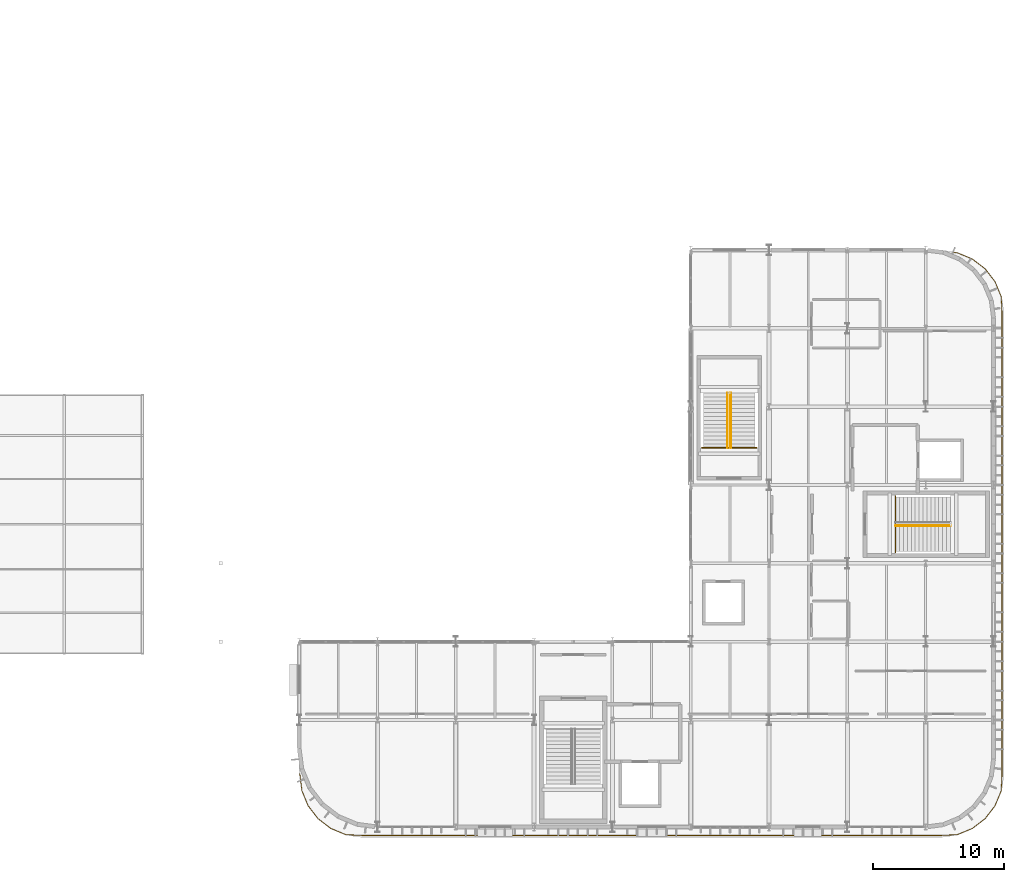
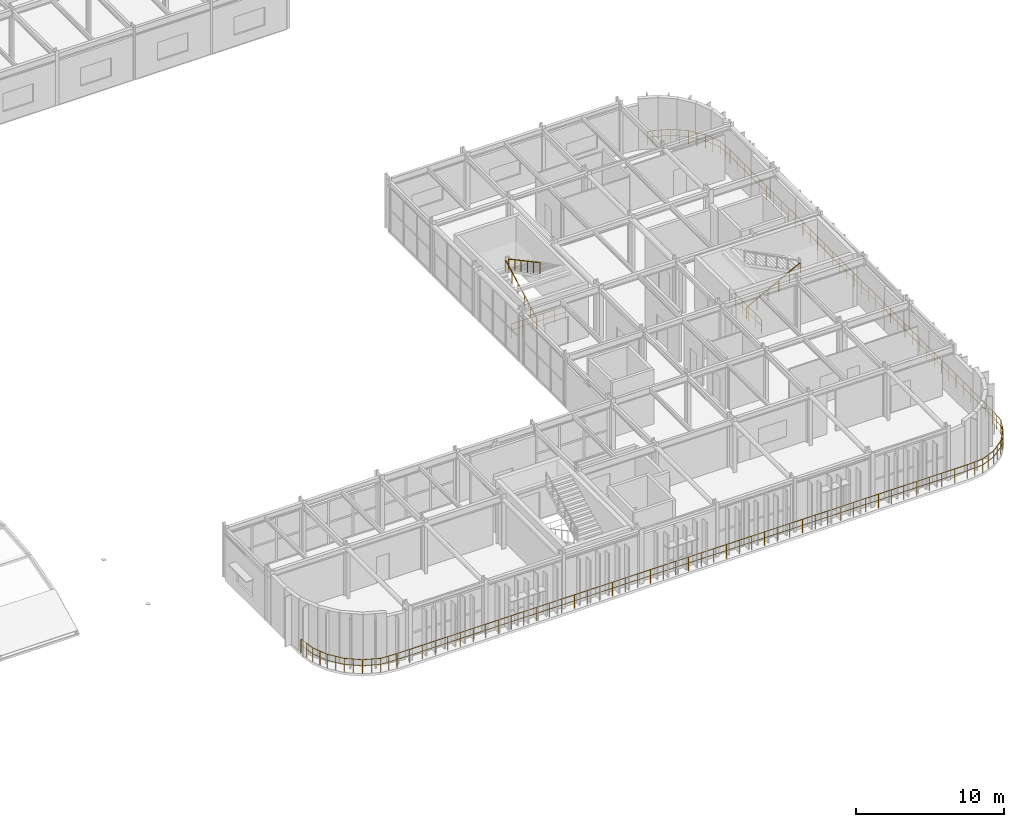
# One storey, part 82 of 84: 6 railings.
"""IFC4 building model written with IfcOpenShell, lengths in metres."""

from ifc_helpers import new_model, si_unit, direction, frame, origin, origin_2d, place, context, subcontext, project, spatial, circle, extrude, material, type_object, element, save


model = new_model("IFC4")

# Units and contexts
model_context = context("Model", 3, precision=1e-05, world=origin(), true_north=direction((0.0, 1.0)))
body_context = subcontext(model_context, "Body", "Model", "MODEL_VIEW")
ifc_project = project(units=[si_unit("LENGTHUNIT", "METRE"), si_unit("AREAUNIT", "SQUARE_METRE"), si_unit("VOLUMEUNIT", "CUBIC_METRE"), si_unit("PLANEANGLEUNIT", "RADIAN"), si_unit("MASSUNIT", "GRAM", prefix="KILO")], contexts=[model_context])

# Site, building, storey
site_placement = place(None, origin())
site = spatial("IfcSite", under=ifc_project, at=site_placement, CompositionType="ELEMENT")
building_placement = place(site_placement, origin())
building = spatial("IfcBuilding", under=site, at=building_placement, Name="Varnakota Square Police Headquarters", CompositionType="ELEMENT")
storey_placement = place(building_placement, frame((0.0, 0.0, 13.5)))
storey = spatial("IfcBuildingStorey", under=building, at=storey_placement, Name="L03", CompositionType="ELEMENT", Elevation=13.5)

# Railings
ifc_material_1 = material(Name="Galvanised Powder-Coated Steel Guardrail", Category="steel")
railing_type_1 = type_object("IfcRailingType", Name="RL-BAL-1150", PredefinedType="BALUSTRADE", material=ifc_material_1)
railing_1_placement = place(storey_placement, frame((158.076171875, 44.834228515625, 0.0)))
element("IfcRailing", 1, at=railing_1_placement, inside=storey, type_object=railing_type_1, Name="Perimeter edge safety guard GD-AUTO-L03-069", PredefinedType="BALUSTRADE", context=body_context, shape_type="SweptSolid", body=[
    extrude(circle(Radius=0.02392578125, at=origin_2d()), frame((0.0, 0.0, 1.1259765625), z_axis=(0.991388830753, -0.130951083454, 0.0), x_axis=(0.130951083454, 0.991388830753, 0.0)), (0.0, 0.0, 1.0), 0.356201171875),
    extrude(circle(Radius=0.01806640625, at=origin_2d()), frame((0.0, 0.0, 0.63232421875), z_axis=(0.991388830753, -0.130951083454, 0.0), x_axis=(0.130951083454, 0.991388830753, 0.0)), (0.0, 0.0, 1.0), 0.356201171875),
    extrude(circle(Radius=0.02392578125, at=origin_2d()), frame((0.35302734375, -0.046630859375, 1.1259765625), z_axis=(0.92391364461, -0.38260106809, 0.0), x_axis=(0.38260106809, 0.92391364461, 0.0)), (0.0, 0.0, 1.0), 1.23974609375),
    extrude(circle(Radius=0.01806640625, at=origin_2d()), frame((0.35302734375, -0.046630859375, 0.63232421875), z_axis=(0.92391364461, -0.38260106809, 0.0), x_axis=(0.38260106809, 0.92391364461, 0.0)), (0.0, 0.0, 1.0), 1.23974609375),
    extrude(circle(Radius=0.02392578125, at=origin_2d()), frame((1.49853515625, -0.52099609375, 1.1259765625), z_axis=(0.793311537696, -0.608815903339, 0.0), x_axis=(0.608815903339, 0.793311537696, 0.0)), (0.0, 0.0, 1.0), 1.239990234375),
    extrude(circle(Radius=0.01806640625, at=origin_2d()), frame((1.49853515625, -0.52099609375, 0.63232421875), z_axis=(0.793311537696, -0.608815903339, 0.0), x_axis=(0.608815903339, 0.793311537696, 0.0)), (0.0, 0.0, 1.0), 1.239990234375),
    extrude(circle(Radius=0.02392578125, at=origin_2d()), frame((2.482177734375, -1.27587890625, 1.1259765625), z_axis=(0.608815903339, -0.793311537696, 0.0), x_axis=(0.793311537696, 0.608815903339, 0.0)), (0.0, 0.0, 1.0), 1.239990234375),
    extrude(circle(Radius=0.01806640625, at=origin_2d()), frame((2.482177734375, -1.27587890625, 0.63232421875), z_axis=(0.608815903339, -0.793311537696, 0.0), x_axis=(0.793311537696, 0.608815903339, 0.0)), (0.0, 0.0, 1.0), 1.239990234375),
    extrude(circle(Radius=0.02392578125, at=origin_2d()), frame((3.237060546875, -2.259521484375, 1.1259765625), z_axis=(0.38260106809, -0.92391364461, 0.0), x_axis=(0.92391364461, 0.38260106809, 0.0)), (0.0, 0.0, 1.0), 1.23974609375),
    extrude(circle(Radius=0.01806640625, at=origin_2d()), frame((3.237060546875, -2.259521484375, 0.63232421875), z_axis=(0.38260106809, -0.92391364461, 0.0), x_axis=(0.92391364461, 0.38260106809, 0.0)), (0.0, 0.0, 1.0), 1.23974609375),
    extrude(circle(Radius=0.02392578125, at=origin_2d()), frame((3.71142578125, -3.405029296875, 1.1259765625), z_axis=(0.05064806659, -0.99871656307, 0.0), x_axis=(0.99871656307, 0.05064806659, 0.0)), (0.0, 0.0, 1.0), 1.23388671875),
    extrude(circle(Radius=0.01806640625, at=origin_2d()), frame((3.71142578125, -3.405029296875, 0.63232421875), z_axis=(0.05064806659, -0.99871656307, 0.0), x_axis=(0.99871656307, 0.05064806659, 0.0)), (0.0, 0.0, 1.0), 1.23388671875),
    extrude(circle(Radius=0.02392578125, at=origin_2d()), frame((3.77392578125, -4.637451171875, 1.1259765625), z_axis=(0.0, -1.0, 0.0), x_axis=(1.0, 0.0, 0.0)), (0.0, 0.0, 1.0), 35.3935546875),
    extrude(circle(Radius=0.01806640625, at=origin_2d()), frame((3.77392578125, -4.637451171875, 0.63232421875), z_axis=(0.0, -1.0, 0.0), x_axis=(1.0, 0.0, 0.0)), (0.0, 0.0, 1.0), 35.3935546875),
    extrude(circle(Radius=0.02392578125, at=origin_2d()), frame((3.77392578125, -40.031005859375, 1.1259765625), z_axis=(-0.05064806659, -0.99871656307, 0.0), x_axis=(0.99871656307, -0.05064806659, 0.0)), (0.0, 0.0, 1.0), 1.23388671875),
    extrude(circle(Radius=0.01806640625, at=origin_2d()), frame((3.77392578125, -40.031005859375, 0.63232421875), z_axis=(-0.05064806659, -0.99871656307, 0.0), x_axis=(0.99871656307, -0.05064806659, 0.0)), (0.0, 0.0, 1.0), 1.23388671875),
    extrude(circle(Radius=0.02392578125, at=origin_2d()), frame((3.71142578125, -41.263427734375, 1.1259765625), z_axis=(-0.38260106809, -0.92391364461, 0.0), x_axis=(0.92391364461, -0.38260106809, 0.0)), (0.0, 0.0, 1.0), 1.23974609375),
    extrude(circle(Radius=0.01806640625, at=origin_2d()), frame((3.71142578125, -41.263427734375, 0.63232421875), z_axis=(-0.38260106809, -0.92391364461, 0.0), x_axis=(0.92391364461, -0.38260106809, 0.0)), (0.0, 0.0, 1.0), 1.23974609375),
    extrude(circle(Radius=0.02392578125, at=origin_2d()), frame((3.237060546875, -42.408935546875, 1.1259765625), z_axis=(-0.608815903339, -0.793311537696, 0.0), x_axis=(0.793311537696, -0.608815903339, 0.0)), (0.0, 0.0, 1.0), 1.239990234375),
    extrude(circle(Radius=0.01806640625, at=origin_2d()), frame((3.237060546875, -42.408935546875, 0.63232421875), z_axis=(-0.608815903339, -0.793311537696, 0.0), x_axis=(0.793311537696, -0.608815903339, 0.0)), (0.0, 0.0, 1.0), 1.239990234375),
    extrude(circle(Radius=0.02392578125, at=origin_2d()), frame((2.482177734375, -43.392578125, 1.1259765625), z_axis=(-0.793311537696, -0.608815903339, 0.0), x_axis=(0.608815903339, -0.793311537696, 0.0)), (0.0, 0.0, 1.0), 1.239990234375),
    extrude(circle(Radius=0.01806640625, at=origin_2d()), frame((2.482177734375, -43.392578125, 0.63232421875), z_axis=(-0.793311537696, -0.608815903339, 0.0), x_axis=(0.608815903339, -0.793311537696, 0.0)), (0.0, 0.0, 1.0), 1.239990234375),
    extrude(circle(Radius=0.02392578125, at=origin_2d()), frame((1.49853515625, -44.1474609375, 1.1259765625), z_axis=(-0.92391364461, -0.38260106809, 0.0), x_axis=(0.38260106809, -0.92391364461, 0.0)), (0.0, 0.0, 1.0), 1.23974609375),
    extrude(circle(Radius=0.01806640625, at=origin_2d()), frame((1.49853515625, -44.1474609375, 0.63232421875), z_axis=(-0.92391364461, -0.38260106809, 0.0), x_axis=(0.38260106809, -0.92391364461, 0.0)), (0.0, 0.0, 1.0), 1.23974609375),
    extrude(circle(Radius=0.02392578125, at=origin_2d()), frame((0.35302734375, -44.621826171875, 1.1259765625), z_axis=(-0.99871656307, -0.05064806659, 0.0), x_axis=(0.05064806659, -0.99871656307, 0.0)), (0.0, 0.0, 1.0), 1.23388671875),
    extrude(circle(Radius=0.01806640625, at=origin_2d()), frame((0.35302734375, -44.621826171875, 0.63232421875), z_axis=(-0.99871656307, -0.05064806659, 0.0), x_axis=(0.05064806659, -0.99871656307, 0.0)), (0.0, 0.0, 1.0), 1.23388671875),
    extrude(circle(Radius=0.02392578125, at=origin_2d()), frame((-0.87939453125, -44.684326171875, 1.1259765625), z_axis=(-1.0, 0.0, 0.0), x_axis=(0.0, -1.0, 0.0)), (0.0, 0.0, 1.0), 44.3935546875),
    extrude(circle(Radius=0.01806640625, at=origin_2d()), frame((-0.87939453125, -44.684326171875, 0.63232421875), z_axis=(-1.0, 0.0, 0.0), x_axis=(0.0, -1.0, 0.0)), (0.0, 0.0, 1.0), 44.3935546875),
    extrude(circle(Radius=0.02392578125, at=origin_2d()), frame((-45.27294921875, -44.684326171875, 1.1259765625), z_axis=(-0.99871656307, 0.05064806659, 0.0), x_axis=(-0.05064806659, -0.99871656307, 0.0)), (0.0, 0.0, 1.0), 1.23388671875),
    extrude(circle(Radius=0.01806640625, at=origin_2d()), frame((-45.27294921875, -44.684326171875, 0.63232421875), z_axis=(-0.99871656307, 0.05064806659, 0.0), x_axis=(-0.05064806659, -0.99871656307, 0.0)), (0.0, 0.0, 1.0), 1.23388671875),
    extrude(circle(Radius=0.02392578125, at=origin_2d()), frame((-46.50537109375, -44.621826171875, 1.1259765625), z_axis=(-0.92391364461, 0.38260106809, 0.0), x_axis=(-0.38260106809, -0.92391364461, 0.0)), (0.0, 0.0, 1.0), 1.23974609375),
    extrude(circle(Radius=0.01806640625, at=origin_2d()), frame((-46.50537109375, -44.621826171875, 0.63232421875), z_axis=(-0.92391364461, 0.38260106809, 0.0), x_axis=(-0.38260106809, -0.92391364461, 0.0)), (0.0, 0.0, 1.0), 1.23974609375),
    extrude(circle(Radius=0.02392578125, at=origin_2d()), frame((-47.65087890625, -44.1474609375, 1.1259765625), z_axis=(-0.793311537696, 0.608815903339, 0.0), x_axis=(-0.608815903339, -0.793311537696, 0.0)), (0.0, 0.0, 1.0), 1.239990234375),
    extrude(circle(Radius=0.01806640625, at=origin_2d()), frame((-47.65087890625, -44.1474609375, 0.63232421875), z_axis=(-0.793311537696, 0.608815903339, 0.0), x_axis=(-0.608815903339, -0.793311537696, 0.0)), (0.0, 0.0, 1.0), 1.239990234375),
    extrude(circle(Radius=0.02392578125, at=origin_2d()), frame((-48.634521484375, -43.392578125, 1.1259765625), z_axis=(-0.608815903339, 0.793311537696, 0.0), x_axis=(-0.793311537696, -0.608815903339, 0.0)), (0.0, 0.0, 1.0), 1.239990234375),
    extrude(circle(Radius=0.01806640625, at=origin_2d()), frame((-48.634521484375, -43.392578125, 0.63232421875), z_axis=(-0.608815903339, 0.793311537696, 0.0), x_axis=(-0.793311537696, -0.608815903339, 0.0)), (0.0, 0.0, 1.0), 1.239990234375),
    extrude(circle(Radius=0.02392578125, at=origin_2d()), frame((-49.389404296875, -42.408935546875, 1.1259765625), z_axis=(-0.38260106809, 0.92391364461, 0.0), x_axis=(-0.92391364461, -0.38260106809, 0.0)), (0.0, 0.0, 1.0), 1.23974609375),
    extrude(circle(Radius=0.01806640625, at=origin_2d()), frame((-49.389404296875, -42.408935546875, 0.63232421875), z_axis=(-0.38260106809, 0.92391364461, 0.0), x_axis=(-0.92391364461, -0.38260106809, 0.0)), (0.0, 0.0, 1.0), 1.23974609375),
    extrude(circle(Radius=0.02392578125, at=origin_2d()), frame((-49.86376953125, -41.263427734375, 1.1259765625), z_axis=(-0.124750448097, 0.992188150352, 0.0), x_axis=(-0.992188150352, -0.124750448097, 0.0)), (0.0, 0.0, 1.0), 1.301513671875),
    extrude(circle(Radius=0.01806640625, at=origin_2d()), frame((-49.86376953125, -41.263427734375, 0.63232421875), z_axis=(-0.124750448097, 0.992188150352, 0.0), x_axis=(-0.992188150352, -0.124750448097, 0.0)), (0.0, 0.0, 1.0), 1.301513671875),
    extrude(circle(Radius=0.02099609375, at=origin_2d()), origin(), (0.0, 0.0, 1.0), 1.101806640625),
    extrude(circle(Radius=0.02099609375, at=origin_2d()), frame((0.35302734375, -0.046630859375, 0.0)), (0.0, 0.0, 1.0), 1.101806640625),
    extrude(circle(Radius=0.02099609375, at=origin_2d()), frame((0.92578125, -0.28369140625, 0.0)), (0.0, 0.0, 1.0), 1.101806640625),
    extrude(circle(Radius=0.02099609375, at=origin_2d()), frame((1.49853515625, -0.52099609375, 0.0)), (0.0, 0.0, 1.0), 1.101806640625),
    extrude(circle(Radius=0.02099609375, at=origin_2d()), frame((1.990234375, -0.8984375, 0.0)), (0.0, 0.0, 1.0), 1.101806640625),
    extrude(circle(Radius=0.02099609375, at=origin_2d()), frame((2.482177734375, -1.27587890625, 0.0)), (0.0, 0.0, 1.0), 1.101806640625),
    extrude(circle(Radius=0.02099609375, at=origin_2d()), frame((2.859619140625, -1.767578125, 0.0)), (0.0, 0.0, 1.0), 1.101806640625),
    extrude(circle(Radius=0.02099609375, at=origin_2d()), frame((3.237060546875, -2.259521484375, 0.0)), (0.0, 0.0, 1.0), 1.101806640625),
    extrude(circle(Radius=0.02099609375, at=origin_2d()), frame((3.47412109375, -2.832275390625, 0.0)), (0.0, 0.0, 1.0), 1.101806640625),
    extrude(circle(Radius=0.02099609375, at=origin_2d()), frame((3.71142578125, -3.405029296875, 0.0)), (0.0, 0.0, 1.0), 1.101806640625),
    extrude(circle(Radius=0.02099609375, at=origin_2d()), frame((3.74267578125, -4.021240234375, 0.0)), (0.0, 0.0, 1.0), 1.101806640625),
    extrude(circle(Radius=0.02099609375, at=origin_2d()), frame((3.77392578125, -4.637451171875, 0.0)), (0.0, 0.0, 1.0), 1.101806640625),
    extrude(circle(Radius=0.02099609375, at=origin_2d()), frame((3.77392578125, -5.62060546875, 0.0)), (0.0, 0.0, 1.0), 1.101806640625),
    extrude(circle(Radius=0.02099609375, at=origin_2d()), frame((3.77392578125, -6.603759765625, 0.0)), (0.0, 0.0, 1.0), 1.101806640625),
    extrude(circle(Radius=0.02099609375, at=origin_2d()), frame((3.77392578125, -7.5869140625, 0.0)), (0.0, 0.0, 1.0), 1.101806640625),
    extrude(circle(Radius=0.02099609375, at=origin_2d()), frame((3.77392578125, -8.570068359375, 0.0)), (0.0, 0.0, 1.0), 1.101806640625),
    extrude(circle(Radius=0.02099609375, at=origin_2d()), frame((3.77392578125, -9.55322265625, 0.0)), (0.0, 0.0, 1.0), 1.101806640625),
    extrude(circle(Radius=0.02099609375, at=origin_2d()), frame((3.77392578125, -10.536376953125, 0.0)), (0.0, 0.0, 1.0), 1.101806640625),
    extrude(circle(Radius=0.02099609375, at=origin_2d()), frame((3.77392578125, -11.51953125, 0.0)), (0.0, 0.0, 1.0), 1.101806640625),
    extrude(circle(Radius=0.02099609375, at=origin_2d()), frame((3.77392578125, -12.502685546875, 0.0)), (0.0, 0.0, 1.0), 1.101806640625),
    extrude(circle(Radius=0.02099609375, at=origin_2d()), frame((3.77392578125, -13.48583984375, 0.0)), (0.0, 0.0, 1.0), 1.101806640625),
    extrude(circle(Radius=0.02099609375, at=origin_2d()), frame((3.77392578125, -14.468994140625, 0.0)), (0.0, 0.0, 1.0), 1.101806640625),
    extrude(circle(Radius=0.02099609375, at=origin_2d()), frame((3.77392578125, -15.4521484375, 0.0)), (0.0, 0.0, 1.0), 1.101806640625),
    extrude(circle(Radius=0.02099609375, at=origin_2d()), frame((3.77392578125, -16.435302734375, 0.0)), (0.0, 0.0, 1.0), 1.101806640625),
    extrude(circle(Radius=0.02099609375, at=origin_2d()), frame((3.77392578125, -17.41845703125, 0.0)), (0.0, 0.0, 1.0), 1.101806640625),
    extrude(circle(Radius=0.02099609375, at=origin_2d()), frame((3.77392578125, -18.401611328125, 0.0)), (0.0, 0.0, 1.0), 1.101806640625),
    extrude(circle(Radius=0.02099609375, at=origin_2d()), frame((3.77392578125, -19.384765625, 0.0)), (0.0, 0.0, 1.0), 1.101806640625),
    extrude(circle(Radius=0.02099609375, at=origin_2d()), frame((3.77392578125, -20.367919921875, 0.0)), (0.0, 0.0, 1.0), 1.101806640625),
    extrude(circle(Radius=0.02099609375, at=origin_2d()), frame((3.77392578125, -21.35107421875, 0.0)), (0.0, 0.0, 1.0), 1.101806640625),
    extrude(circle(Radius=0.02099609375, at=origin_2d()), frame((3.77392578125, -22.334228515625, 0.0)), (0.0, 0.0, 1.0), 1.101806640625),
    extrude(circle(Radius=0.02099609375, at=origin_2d()), frame((3.77392578125, -23.3173828125, 0.0)), (0.0, 0.0, 1.0), 1.101806640625),
    extrude(circle(Radius=0.02099609375, at=origin_2d()), frame((3.77392578125, -24.300537109375, 0.0)), (0.0, 0.0, 1.0), 1.101806640625),
    extrude(circle(Radius=0.02099609375, at=origin_2d()), frame((3.77392578125, -25.28369140625, 0.0)), (0.0, 0.0, 1.0), 1.101806640625),
    extrude(circle(Radius=0.02099609375, at=origin_2d()), frame((3.77392578125, -26.266845703125, 0.0)), (0.0, 0.0, 1.0), 1.101806640625),
    extrude(circle(Radius=0.02099609375, at=origin_2d()), frame((3.77392578125, -27.25, 0.0)), (0.0, 0.0, 1.0), 1.101806640625),
    extrude(circle(Radius=0.02099609375, at=origin_2d()), frame((3.77392578125, -28.233154296875, 0.0)), (0.0, 0.0, 1.0), 1.101806640625),
    extrude(circle(Radius=0.02099609375, at=origin_2d()), frame((3.77392578125, -29.21630859375, 0.0)), (0.0, 0.0, 1.0), 1.101806640625),
    extrude(circle(Radius=0.02099609375, at=origin_2d()), frame((3.77392578125, -30.199462890625, 0.0)), (0.0, 0.0, 1.0), 1.101806640625),
    extrude(circle(Radius=0.02099609375, at=origin_2d()), frame((3.77392578125, -31.1826171875, 0.0)), (0.0, 0.0, 1.0), 1.101806640625),
    extrude(circle(Radius=0.02099609375, at=origin_2d()), frame((3.77392578125, -32.165771484375, 0.0)), (0.0, 0.0, 1.0), 1.101806640625),
    extrude(circle(Radius=0.02099609375, at=origin_2d()), frame((3.77392578125, -33.14892578125, 0.0)), (0.0, 0.0, 1.0), 1.101806640625),
    extrude(circle(Radius=0.02099609375, at=origin_2d()), frame((3.77392578125, -34.132080078125, 0.0)), (0.0, 0.0, 1.0), 1.101806640625),
    extrude(circle(Radius=0.02099609375, at=origin_2d()), frame((3.77392578125, -35.115234375, 0.0)), (0.0, 0.0, 1.0), 1.101806640625),
    extrude(circle(Radius=0.02099609375, at=origin_2d()), frame((3.77392578125, -36.098388671875, 0.0)), (0.0, 0.0, 1.0), 1.101806640625),
    extrude(circle(Radius=0.02099609375, at=origin_2d()), frame((3.77392578125, -37.08154296875, 0.0)), (0.0, 0.0, 1.0), 1.101806640625),
    extrude(circle(Radius=0.02099609375, at=origin_2d()), frame((3.77392578125, -38.064697265625, 0.0)), (0.0, 0.0, 1.0), 1.101806640625),
    extrude(circle(Radius=0.02099609375, at=origin_2d()), frame((3.77392578125, -39.0478515625, 0.0)), (0.0, 0.0, 1.0), 1.101806640625),
    extrude(circle(Radius=0.02099609375, at=origin_2d()), frame((3.77392578125, -40.031005859375, 0.0)), (0.0, 0.0, 1.0), 1.101806640625),
    extrude(circle(Radius=0.02099609375, at=origin_2d()), frame((3.74267578125, -40.647216796875, 0.0)), (0.0, 0.0, 1.0), 1.101806640625),
    extrude(circle(Radius=0.02099609375, at=origin_2d()), frame((3.71142578125, -41.263427734375, 0.0)), (0.0, 0.0, 1.0), 1.101806640625),
    extrude(circle(Radius=0.02099609375, at=origin_2d()), frame((3.47412109375, -41.836181640625, 0.0)), (0.0, 0.0, 1.0), 1.101806640625),
    extrude(circle(Radius=0.02099609375, at=origin_2d()), frame((3.237060546875, -42.408935546875, 0.0)), (0.0, 0.0, 1.0), 1.101806640625),
    extrude(circle(Radius=0.02099609375, at=origin_2d()), frame((2.859619140625, -42.90087890625, 0.0)), (0.0, 0.0, 1.0), 1.101806640625),
    extrude(circle(Radius=0.02099609375, at=origin_2d()), frame((2.482177734375, -43.392578125, 0.0)), (0.0, 0.0, 1.0), 1.101806640625),
    extrude(circle(Radius=0.02099609375, at=origin_2d()), frame((1.990234375, -43.77001953125, 0.0)), (0.0, 0.0, 1.0), 1.101806640625),
    extrude(circle(Radius=0.02099609375, at=origin_2d()), frame((1.49853515625, -44.1474609375, 0.0)), (0.0, 0.0, 1.0), 1.101806640625),
    extrude(circle(Radius=0.02099609375, at=origin_2d()), frame((0.92578125, -44.384765625, 0.0)), (0.0, 0.0, 1.0), 1.101806640625),
    extrude(circle(Radius=0.02099609375, at=origin_2d()), frame((0.35302734375, -44.621826171875, 0.0)), (0.0, 0.0, 1.0), 1.101806640625),
    extrude(circle(Radius=0.02099609375, at=origin_2d()), frame((-0.26318359375, -44.653076171875, 0.0)), (0.0, 0.0, 1.0), 1.101806640625),
    extrude(circle(Radius=0.02099609375, at=origin_2d()), frame((-0.87939453125, -44.684326171875, 0.0)), (0.0, 0.0, 1.0), 1.101806640625),
    extrude(circle(Radius=0.02099609375, at=origin_2d()), frame((-1.865966796875, -44.684326171875, 0.0)), (0.0, 0.0, 1.0), 1.101806640625),
    extrude(circle(Radius=0.02099609375, at=origin_2d()), frame((-2.8525390625, -44.684326171875, 0.0)), (0.0, 0.0, 1.0), 1.101806640625),
    extrude(circle(Radius=0.02099609375, at=origin_2d()), frame((-3.8388671875, -44.684326171875, 0.0)), (0.0, 0.0, 1.0), 1.101806640625),
    extrude(circle(Radius=0.02099609375, at=origin_2d()), frame((-4.825439453125, -44.684326171875, 0.0)), (0.0, 0.0, 1.0), 1.101806640625),
    extrude(circle(Radius=0.02099609375, at=origin_2d()), frame((-5.81201171875, -44.684326171875, 0.0)), (0.0, 0.0, 1.0), 1.101806640625),
    extrude(circle(Radius=0.02099609375, at=origin_2d()), frame((-6.798583984375, -44.684326171875, 0.0)), (0.0, 0.0, 1.0), 1.101806640625),
    extrude(circle(Radius=0.02099609375, at=origin_2d()), frame((-7.78515625, -44.684326171875, 0.0)), (0.0, 0.0, 1.0), 1.101806640625),
    extrude(circle(Radius=0.02099609375, at=origin_2d()), frame((-8.771484375, -44.684326171875, 0.0)), (0.0, 0.0, 1.0), 1.101806640625),
    extrude(circle(Radius=0.02099609375, at=origin_2d()), frame((-9.758056640625, -44.684326171875, 0.0)), (0.0, 0.0, 1.0), 1.101806640625),
    extrude(circle(Radius=0.02099609375, at=origin_2d()), frame((-10.74462890625, -44.684326171875, 0.0)), (0.0, 0.0, 1.0), 1.101806640625),
    extrude(circle(Radius=0.02099609375, at=origin_2d()), frame((-11.731201171875, -44.684326171875, 0.0)), (0.0, 0.0, 1.0), 1.101806640625),
    extrude(circle(Radius=0.02099609375, at=origin_2d()), frame((-12.7177734375, -44.684326171875, 0.0)), (0.0, 0.0, 1.0), 1.101806640625),
    extrude(circle(Radius=0.02099609375, at=origin_2d()), frame((-13.7041015625, -44.684326171875, 0.0)), (0.0, 0.0, 1.0), 1.101806640625),
    extrude(circle(Radius=0.02099609375, at=origin_2d()), frame((-14.690673828125, -44.684326171875, 0.0)), (0.0, 0.0, 1.0), 1.101806640625),
    extrude(circle(Radius=0.02099609375, at=origin_2d()), frame((-15.67724609375, -44.684326171875, 0.0)), (0.0, 0.0, 1.0), 1.101806640625),
    extrude(circle(Radius=0.02099609375, at=origin_2d()), frame((-16.663818359375, -44.684326171875, 0.0)), (0.0, 0.0, 1.0), 1.101806640625),
    extrude(circle(Radius=0.02099609375, at=origin_2d()), frame((-17.650390625, -44.684326171875, 0.0)), (0.0, 0.0, 1.0), 1.101806640625),
    extrude(circle(Radius=0.02099609375, at=origin_2d()), frame((-18.63671875, -44.684326171875, 0.0)), (0.0, 0.0, 1.0), 1.101806640625),
    extrude(circle(Radius=0.02099609375, at=origin_2d()), frame((-19.623291015625, -44.684326171875, 0.0)), (0.0, 0.0, 1.0), 1.101806640625),
    extrude(circle(Radius=0.02099609375, at=origin_2d()), frame((-20.60986328125, -44.684326171875, 0.0)), (0.0, 0.0, 1.0), 1.101806640625),
    extrude(circle(Radius=0.02099609375, at=origin_2d()), frame((-21.596435546875, -44.684326171875, 0.0)), (0.0, 0.0, 1.0), 1.101806640625),
    extrude(circle(Radius=0.02099609375, at=origin_2d()), frame((-22.5830078125, -44.684326171875, 0.0)), (0.0, 0.0, 1.0), 1.101806640625),
    extrude(circle(Radius=0.02099609375, at=origin_2d()), frame((-23.5693359375, -44.684326171875, 0.0)), (0.0, 0.0, 1.0), 1.101806640625),
    extrude(circle(Radius=0.02099609375, at=origin_2d()), frame((-24.555908203125, -44.684326171875, 0.0)), (0.0, 0.0, 1.0), 1.101806640625),
    extrude(circle(Radius=0.02099609375, at=origin_2d()), frame((-25.54248046875, -44.684326171875, 0.0)), (0.0, 0.0, 1.0), 1.101806640625),
    extrude(circle(Radius=0.02099609375, at=origin_2d()), frame((-26.529052734375, -44.684326171875, 0.0)), (0.0, 0.0, 1.0), 1.101806640625),
    extrude(circle(Radius=0.02099609375, at=origin_2d()), frame((-27.515625, -44.684326171875, 0.0)), (0.0, 0.0, 1.0), 1.101806640625),
    extrude(circle(Radius=0.02099609375, at=origin_2d()), frame((-28.501953125, -44.684326171875, 0.0)), (0.0, 0.0, 1.0), 1.101806640625),
    extrude(circle(Radius=0.02099609375, at=origin_2d()), frame((-29.488525390625, -44.684326171875, 0.0)), (0.0, 0.0, 1.0), 1.101806640625),
    extrude(circle(Radius=0.02099609375, at=origin_2d()), frame((-30.47509765625, -44.684326171875, 0.0)), (0.0, 0.0, 1.0), 1.101806640625),
    extrude(circle(Radius=0.02099609375, at=origin_2d()), frame((-31.461669921875, -44.684326171875, 0.0)), (0.0, 0.0, 1.0), 1.101806640625),
    extrude(circle(Radius=0.02099609375, at=origin_2d()), frame((-32.4482421875, -44.684326171875, 0.0)), (0.0, 0.0, 1.0), 1.101806640625),
    extrude(circle(Radius=0.02099609375, at=origin_2d()), frame((-33.4345703125, -44.684326171875, 0.0)), (0.0, 0.0, 1.0), 1.101806640625),
    extrude(circle(Radius=0.02099609375, at=origin_2d()), frame((-34.421142578125, -44.684326171875, 0.0)), (0.0, 0.0, 1.0), 1.101806640625),
    extrude(circle(Radius=0.02099609375, at=origin_2d()), frame((-35.40771484375, -44.684326171875, 0.0)), (0.0, 0.0, 1.0), 1.101806640625),
    extrude(circle(Radius=0.02099609375, at=origin_2d()), frame((-36.394287109375, -44.684326171875, 0.0)), (0.0, 0.0, 1.0), 1.101806640625),
    extrude(circle(Radius=0.02099609375, at=origin_2d()), frame((-37.380859375, -44.684326171875, 0.0)), (0.0, 0.0, 1.0), 1.101806640625),
    extrude(circle(Radius=0.02099609375, at=origin_2d()), frame((-38.3671875, -44.684326171875, 0.0)), (0.0, 0.0, 1.0), 1.101806640625),
    extrude(circle(Radius=0.02099609375, at=origin_2d()), frame((-39.353759765625, -44.684326171875, 0.0)), (0.0, 0.0, 1.0), 1.101806640625),
    extrude(circle(Radius=0.02099609375, at=origin_2d()), frame((-40.34033203125, -44.684326171875, 0.0)), (0.0, 0.0, 1.0), 1.101806640625),
    extrude(circle(Radius=0.02099609375, at=origin_2d()), frame((-41.326904296875, -44.684326171875, 0.0)), (0.0, 0.0, 1.0), 1.101806640625),
    extrude(circle(Radius=0.02099609375, at=origin_2d()), frame((-42.3134765625, -44.684326171875, 0.0)), (0.0, 0.0, 1.0), 1.101806640625),
    extrude(circle(Radius=0.02099609375, at=origin_2d()), frame((-43.2998046875, -44.684326171875, 0.0)), (0.0, 0.0, 1.0), 1.101806640625),
    extrude(circle(Radius=0.02099609375, at=origin_2d()), frame((-44.286376953125, -44.684326171875, 0.0)), (0.0, 0.0, 1.0), 1.101806640625),
    extrude(circle(Radius=0.02099609375, at=origin_2d()), frame((-45.27294921875, -44.684326171875, 0.0)), (0.0, 0.0, 1.0), 1.101806640625),
    extrude(circle(Radius=0.02099609375, at=origin_2d()), frame((-45.88916015625, -44.653076171875, 0.0)), (0.0, 0.0, 1.0), 1.101806640625),
    extrude(circle(Radius=0.02099609375, at=origin_2d()), frame((-46.50537109375, -44.621826171875, 0.0)), (0.0, 0.0, 1.0), 1.101806640625),
    extrude(circle(Radius=0.02099609375, at=origin_2d()), frame((-47.078125, -44.384765625, 0.0)), (0.0, 0.0, 1.0), 1.101806640625),
    extrude(circle(Radius=0.02099609375, at=origin_2d()), frame((-47.65087890625, -44.1474609375, 0.0)), (0.0, 0.0, 1.0), 1.101806640625),
    extrude(circle(Radius=0.02099609375, at=origin_2d()), frame((-48.142578125, -43.77001953125, 0.0)), (0.0, 0.0, 1.0), 1.101806640625),
    extrude(circle(Radius=0.02099609375, at=origin_2d()), frame((-48.634521484375, -43.392578125, 0.0)), (0.0, 0.0, 1.0), 1.101806640625),
    extrude(circle(Radius=0.02099609375, at=origin_2d()), frame((-49.011962890625, -42.90087890625, 0.0)), (0.0, 0.0, 1.0), 1.101806640625),
    extrude(circle(Radius=0.02099609375, at=origin_2d()), frame((-49.389404296875, -42.408935546875, 0.0)), (0.0, 0.0, 1.0), 1.101806640625),
    extrude(circle(Radius=0.02099609375, at=origin_2d()), frame((-49.62646484375, -41.836181640625, 0.0)), (0.0, 0.0, 1.0), 1.101806640625),
    extrude(circle(Radius=0.02099609375, at=origin_2d()), frame((-49.86376953125, -41.263427734375, 0.0)), (0.0, 0.0, 1.0), 1.101806640625),
    extrude(circle(Radius=0.02099609375, at=origin_2d()), frame((-49.94482421875, -40.61767578125, 0.0)), (0.0, 0.0, 1.0), 1.101806640625),
    extrude(circle(Radius=0.02099609375, at=origin_2d()), frame((-50.026123046875, -39.97216796875, 0.0)), (0.0, 0.0, 1.0), 1.101806640625),
])
ifc_material_2 = material(Name="Brushed Stainless Steel Tubular Handrail", Category="steel")
railing_type_2 = type_object("IfcRailingType", Name="RL-HND-920", PredefinedType="HANDRAIL", material=ifc_material_2)
railing_2_placement = place(storey_placement, frame((153.699951171875, 23.8798828125, 0.0)))
element("IfcRailing", 2, at=railing_2_placement, inside=storey, type_object=railing_type_2, Name="Stair flight handrail HR-L03-021", PredefinedType="HANDRAIL", context=body_context, shape_type="SweptSolid", body=[
    extrude(circle(Radius=0.02392578125, at=origin_2d()), frame((0.0, 0.0, 0.89599609375), z_axis=(0.881511956786, 0.0, 0.472161699043), x_axis=(0.0, 1.0, 0.0)), (0.0, 0.0, 1.0), 4.765380859375),
    extrude(circle(Radius=0.02099609375, at=origin_2d()), origin(), (0.0, 0.0, 1.0), 0.871826171875),
    extrude(circle(Radius=0.02099609375, at=origin_2d()), frame((0.840087890625, 0.0, 0.449951171875)), (0.0, 0.0, 1.0), 0.871826171875),
    extrude(circle(Radius=0.02099609375, at=origin_2d()), frame((1.68017578125, 0.0, 0.89990234375)), (0.0, 0.0, 1.0), 0.871826171875),
    extrude(circle(Radius=0.02099609375, at=origin_2d()), frame((2.5205078125, 0.0, 1.35009765625)), (0.0, 0.0, 1.0), 0.871826171875),
    extrude(circle(Radius=0.02099609375, at=origin_2d()), frame((3.360595703125, 0.0, 1.800048828125)), (0.0, 0.0, 1.0), 0.871826171875),
    extrude(circle(Radius=0.02099609375, at=origin_2d()), frame((4.20068359375, 0.0, 2.25)), (0.0, 0.0, 1.0), 0.871826171875),
])
railing_3_placement = place(storey_placement, frame((140.829833984375, 29.85009765625, 0.0)))
element("IfcRailing", 3, at=railing_3_placement, inside=storey, type_object=railing_type_2, Name="Stair flight handrail HR-L03-035", PredefinedType="HANDRAIL", context=body_context, shape_type="SweptSolid", body=[
    extrude(circle(Radius=0.02392578125, at=origin_2d()), frame((0.0, 0.0, 0.89599609375), z_axis=(0.0, 0.881511956786, 0.472161699043), x_axis=(-1.0, 0.0, 0.0)), (0.0, 0.0, 1.0), 4.765380859375),
    extrude(circle(Radius=0.02099609375, at=origin_2d()), origin(), (0.0, 0.0, 1.0), 0.871826171875),
    extrude(circle(Radius=0.02099609375, at=origin_2d()), frame((0.0, 0.840087890625, 0.449951171875)), (0.0, 0.0, 1.0), 0.871826171875),
    extrude(circle(Radius=0.02099609375, at=origin_2d()), frame((0.0, 1.68017578125, 0.89990234375)), (0.0, 0.0, 1.0), 0.871826171875),
    extrude(circle(Radius=0.02099609375, at=origin_2d()), frame((0.0, 2.5205078125, 1.35009765625)), (0.0, 0.0, 1.0), 0.871826171875),
    extrude(circle(Radius=0.02099609375, at=origin_2d()), frame((0.0, 3.360595703125, 1.800048828125)), (0.0, 0.0, 1.0), 0.871826171875),
    extrude(circle(Radius=0.02099609375, at=origin_2d()), frame((0.0, 4.20068359375, 2.25)), (0.0, 0.0, 1.0), 0.871826171875),
])
railing_4_placement = place(storey_placement, frame((141.070068359375, 34.05078125, 2.25)))
element("IfcRailing", 4, at=railing_4_placement, inside=storey, type_object=railing_type_2, Name="Stair flight handrail HR-L03-036", PredefinedType="HANDRAIL", context=body_context, shape_type="SweptSolid", body=[
    extrude(circle(Radius=0.02392578125, at=origin_2d()), frame((0.0, 0.0, 0.89599609375), z_axis=(0.0, -0.881511956786, 0.472161699043), x_axis=(1.0, 0.0, 0.0)), (0.0, 0.0, 1.0), 4.765380859375),
    extrude(circle(Radius=0.02099609375, at=origin_2d()), origin(), (0.0, 0.0, 1.0), 0.871826171875),
    extrude(circle(Radius=0.02099609375, at=origin_2d()), frame((0.0, -0.840087890625, 0.449951171875)), (0.0, 0.0, 1.0), 0.871826171875),
    extrude(circle(Radius=0.02099609375, at=origin_2d()), frame((0.0, -1.68017578125, 0.89990234375)), (0.0, 0.0, 1.0), 0.871826171875),
    extrude(circle(Radius=0.02099609375, at=origin_2d()), frame((0.0, -2.5205078125, 1.35009765625)), (0.0, 0.0, 1.0), 0.871826171875),
    extrude(circle(Radius=0.02099609375, at=origin_2d()), frame((0.0, -3.360595703125, 1.800048828125)), (0.0, 0.0, 1.0), 0.871826171875),
    extrude(circle(Radius=0.02099609375, at=origin_2d()), frame((0.0, -4.20068359375, 2.25)), (0.0, 0.0, 1.0), 0.871826171875),
])
ifc_material_3 = material(Name="Laminated Glass and Stainless Steel Balustrade", Category="steel")
railing_type_3 = type_object("IfcRailingType", Name="RL-INT-1150", PredefinedType="BALUSTRADE", material=ifc_material_3)
railing_5_placement = place(storey_placement, frame((153.699951171875, 21.840087890625, 0.0)))
element("IfcRailing", 5, at=railing_5_placement, inside=storey, type_object=railing_type_3, Name="Stair well safety guard C2 L03", PredefinedType="BALUSTRADE", context=body_context, shape_type="SweptSolid", body=[
    extrude(circle(Radius=0.02392578125, at=origin_2d()), frame((0.0, 0.0, 1.1259765625), z_axis=(0.0, 1.0, 0.0), x_axis=(-1.0, 0.0, 0.0)), (0.0, 0.0, 1.0), 4.31982421875),
    extrude(circle(Radius=0.01806640625, at=origin_2d()), frame((0.0, 0.0, 0.63232421875), z_axis=(0.0, 1.0, 0.0), x_axis=(-1.0, 0.0, 0.0)), (0.0, 0.0, 1.0), 4.31982421875),
    extrude(circle(Radius=0.02099609375, at=origin_2d()), origin(), (0.0, 0.0, 1.0), 1.101806640625),
    extrude(circle(Radius=0.02099609375, at=origin_2d()), frame((0.0, 0.864013671875, 0.0)), (0.0, 0.0, 1.0), 1.101806640625),
    extrude(circle(Radius=0.02099609375, at=origin_2d()), frame((0.0, 1.72802734375, 0.0)), (0.0, 0.0, 1.0), 1.101806640625),
    extrude(circle(Radius=0.02099609375, at=origin_2d()), frame((0.0, 2.591796875, 0.0)), (0.0, 0.0, 1.0), 1.101806640625),
    extrude(circle(Radius=0.02099609375, at=origin_2d()), frame((0.0, 3.455810546875, 0.0)), (0.0, 0.0, 1.0), 1.101806640625),
    extrude(circle(Radius=0.02099609375, at=origin_2d()), frame((0.0, 4.31982421875, 0.0)), (0.0, 0.0, 1.0), 1.101806640625),
])
railing_6_placement = place(storey_placement, frame((138.840087890625, 29.85009765625, 0.0)))
element("IfcRailing", 6, at=railing_6_placement, inside=storey, type_object=railing_type_3, Name="Stair well safety guard C3 L03", PredefinedType="BALUSTRADE", context=body_context, shape_type="SweptSolid", body=[
    extrude(circle(Radius=0.02392578125, at=origin_2d()), frame((0.0, 0.0, 1.1259765625), z_axis=(1.0, 0.0, 0.0), x_axis=(0.0, 1.0, 0.0)), (0.0, 0.0, 1.0), 4.219970703125),
    extrude(circle(Radius=0.01806640625, at=origin_2d()), frame((0.0, 0.0, 0.63232421875), z_axis=(1.0, 0.0, 0.0), x_axis=(0.0, 1.0, 0.0)), (0.0, 0.0, 1.0), 4.219970703125),
    extrude(circle(Radius=0.02099609375, at=origin_2d()), origin(), (0.0, 0.0, 1.0), 1.101806640625),
    extrude(circle(Radius=0.02099609375, at=origin_2d()), frame((0.843994140625, 0.0, 0.0)), (0.0, 0.0, 1.0), 1.101806640625),
    extrude(circle(Radius=0.02099609375, at=origin_2d()), frame((1.68798828125, 0.0, 0.0)), (0.0, 0.0, 1.0), 1.101806640625),
    extrude(circle(Radius=0.02099609375, at=origin_2d()), frame((2.531982421875, 0.0, 0.0)), (0.0, 0.0, 1.0), 1.101806640625),
    extrude(circle(Radius=0.02099609375, at=origin_2d()), frame((3.3759765625, 0.0, 0.0)), (0.0, 0.0, 1.0), 1.101806640625),
    extrude(circle(Radius=0.02099609375, at=origin_2d()), frame((4.219970703125, 0.0, 0.0)), (0.0, 0.0, 1.0), 1.101806640625),
])

save(model, "model.ifc")
